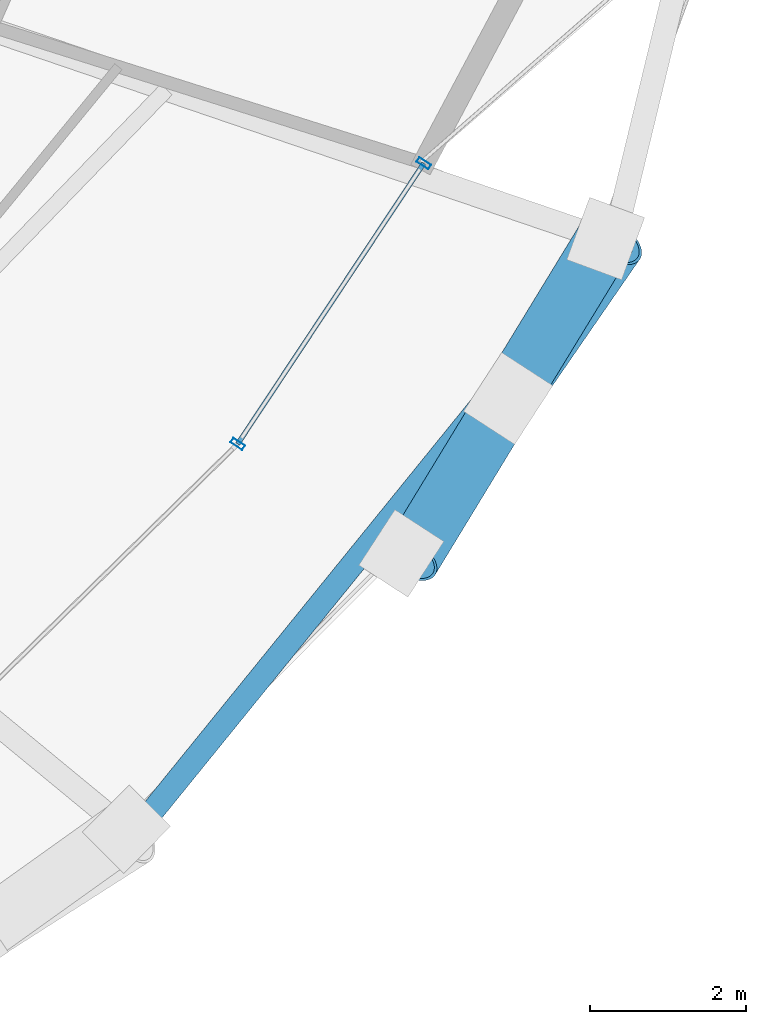
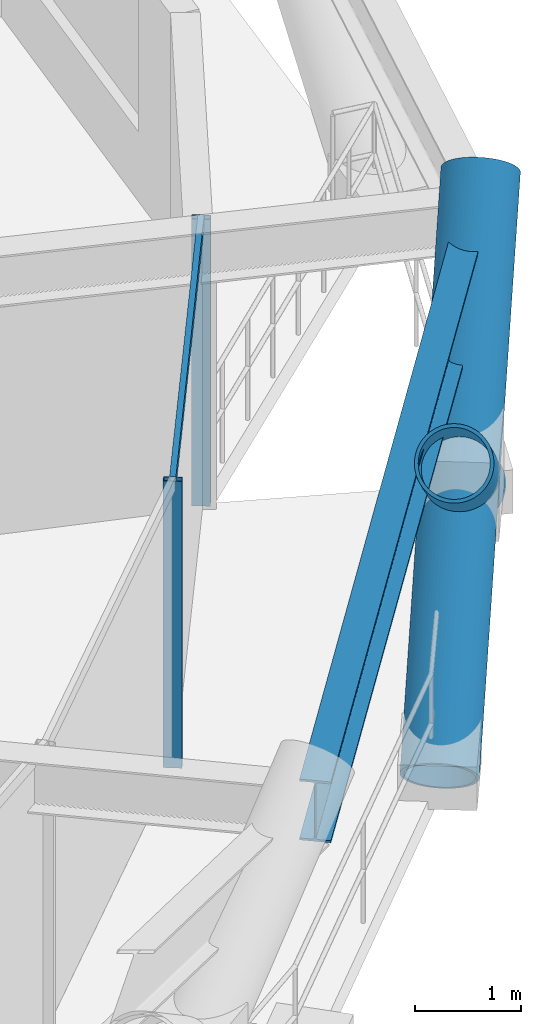
# One storey, part 11 of 20: 6 members, 1 beam, 1 element without a shape of its own.
"""IFC4 building model written with IfcOpenShell, lengths in metres."""

from ifc_helpers import new_model, si_unit, direction, frame, origin, origin_2d, place, context, subcontext, project, spatial, hollow_rectangle, hollow_circle, i_section, extrude, material, layer, layer_set, material_profile, profile_set, type_object, element, aggregate, save


model = new_model("IFC4")

# Units and contexts
model_context = context("Model", 3, precision=1e-05, world=origin(), true_north=direction((0.0, 1.0)))
body_context = subcontext(model_context, "Body", "Model", "MODEL_VIEW")
ifc_project = project(units=[si_unit("LENGTHUNIT", "METRE"), si_unit("AREAUNIT", "SQUARE_METRE"), si_unit("VOLUMEUNIT", "CUBIC_METRE"), si_unit("PLANEANGLEUNIT", "RADIAN"), si_unit("MASSUNIT", "GRAM", prefix="KILO")], contexts=[model_context])

# Site, building, storey
site_placement = place(None, origin())
site = spatial("IfcSite", under=ifc_project, at=site_placement, CompositionType="ELEMENT")
building_placement = place(site_placement, origin())
building = spatial("IfcBuilding", under=site, at=building_placement, Name="Veldorina Hangang Commons", CompositionType="ELEMENT")
storey_placement = place(building_placement, frame((0.0, 0.0, 48.39990234375)))
storey = spatial("IfcBuildingStorey", under=building, at=storey_placement, Name="L11", CompositionType="ELEMENT", Elevation=48.39990234375)

# Beam
ifc_material_1 = material(Name="Steel SM460-TMC", Category="steel")
ifc_material_profile_1 = material_profile(ifc_material_1, i_section(OverallWidth=0.300048828125, OverallDepth=0.699951171875, WebThickness=0.012939453125, FlangeThickness=0.02392578125, FilletRadius=0.02197265625, at=origin_2d()), Name="H-700x300x13x24")
ifc_profile_set_1 = profile_set([ifc_material_profile_1], Name="Steel SM460-TMC")
beam_type = type_object("IfcBeamType", Name="BM-RB700", PredefinedType="BEAM", material=ifc_profile_set_1)
beam_placement = place(storey_placement, frame((52.09033203125, 7.4453125, 2.989990234375), z_axis=(0.629842263473, 0.776723067215, 0.0), x_axis=(-0.776723067215, 0.629842263473, 0.0)))
element("IfcBeam", 1, at=beam_placement, inside=storey, type_object=beam_type, Name="L11 perimeter hoop ring beam 28", PredefinedType="BEAM", context=body_context, shape_type="SweptSolid", body=[
    extrude(i_section(OverallWidth=0.300048828125, OverallDepth=0.699951171875, WebThickness=0.012939453125, FlangeThickness=0.02392578125, FilletRadius=0.02197265625, at=origin_2d()), origin(), (0.0, 0.0, 1.0), 9.778564453125),
])

# Curtain wall, members
ifc_material_2 = material(Name="Glass Low-E Triple IGU", Category="glass")
ifc_layer = layer(ifc_material_2, 0.179931640625)
ifc_layer_set = layer_set([ifc_layer], Name="Glass Low-E Triple IGU")
curtain_wall_type = type_object("IfcCurtainWallType", Name="CW-SYS-Z1", PredefinedType="NOTDEFINED", material=ifc_layer_set)
curtain_wall_placement = place(storey_placement, origin())
curtain_wall = element("IfcCurtainWall", 2, at=curtain_wall_placement, inside=storey, type_object=curtain_wall_type, Name="L11 unitised curtain wall CW-L11-R2", PredefinedType="NOTDEFINED")
ifc_material_3 = material(Name="Aluminium Anodized AA6063-T6", Category="aluminium")
ifc_material_profile_2 = material_profile(ifc_material_3, hollow_rectangle(XDim=0.070068359375, YDim=0.179931640625, WallThickness=0.00390625, at=origin_2d()), Name="ALU-RHS-180x70x4")
ifc_profile_set_2 = profile_set([ifc_material_profile_2], Name="Aluminium Anodized AA6063-T6")
member_type_1 = type_object("IfcMemberType", Name="CW-MUL-180", PredefinedType="MULLION", material=ifc_profile_set_2)
member_1_placement = place(storey_placement, frame((53.43359375, 12.456298828125, 0.0), z_axis=(0.0, 0.0, 1.0), x_axis=(0.552679023274, 0.833394202784, 0.0)))
member_1 = element("IfcMember", 3, at=member_1_placement, type_object=member_type_1, Name="CW-L11-R2 vertical mullion 5", PredefinedType="MULLION", context=body_context, shape_type="SweptSolid", body=[
    extrude(hollow_rectangle(XDim=0.070068359375, YDim=0.179931640625, WallThickness=0.00390625, at=origin_2d()), origin(), (0.0, 0.0, 1.0), 3.300048828125),
])
member_2_placement = place(storey_placement, frame((55.81591796875, 16.048583984375, 0.0), z_axis=(0.0, 0.0, 1.0), x_axis=(-0.552679023274, -0.833394202784, 0.0)))
member_2 = element("IfcMember", 4, at=member_2_placement, type_object=member_type_1, Name="CW-L11-R2 vertical mullion 6", PredefinedType="MULLION", context=body_context, shape_type="SweptSolid", body=[
    extrude(hollow_rectangle(XDim=0.070068359375, YDim=0.179931640625, WallThickness=0.00390625, at=origin_2d()), origin(), (0.0, 0.0, 1.0), 3.300048828125),
])
ifc_material_profile_3 = material_profile(ifc_material_3, hollow_rectangle(XDim=0.06005859375, YDim=0.139892578125, WallThickness=0.00341796875, at=origin_2d()), Name="ALU-RHS-140x60x3.5")
ifc_profile_set_3 = profile_set([ifc_material_profile_3], Name="Aluminium Anodized AA6063-T6")
member_type_2 = type_object("IfcMemberType", Name="CW-TRN-140", PredefinedType="USERDEFINED", material=ifc_profile_set_3)
member_3_placement = place(storey_placement, frame((53.43359375, 12.456298828125, 3.260009765625), z_axis=(0.552685701619, 0.833389773891, 0.0), x_axis=(-0.833389773891, 0.552685701619, 0.0)))
member_3 = element("IfcMember", 5, at=member_3_placement, type_object=member_type_2, Name="CW-L11-R2 facet 5 transom 1", ObjectType="TRANSOM", PredefinedType="USERDEFINED", context=body_context, shape_type="SweptSolid", body=[
    extrude(hollow_rectangle(XDim=0.06005859375, YDim=0.139892578125, WallThickness=0.00341796875, at=origin_2d()), origin(), (0.0, 0.0, 1.0), 4.310546875),
])
aggregate(curtain_wall, [member_1, member_2, member_3])

# Members
ifc_material_profile_4 = material_profile(ifc_material_1, hollow_circle(Radius=0.375, WallThickness=0.035888671875, at=origin_2d()), Name="CHS-750x36")
ifc_profile_set_4 = profile_set([ifc_material_profile_4], Name="Steel SM460-TMC")
member_type_3 = type_object("IfcMemberType", Name="DG-CHS750", PredefinedType="BRACE", material=ifc_profile_set_4)
member_4_placement = place(storey_placement, frame((55.52880859375, 11.056396484375, 0.0), z_axis=(0.45520925237, 0.659974379516, 0.597677467318), x_axis=(-0.823181009759, 0.567779028472, 0.0)))
element("IfcMember", 6, at=member_4_placement, inside=storey, type_object=member_type_3, Name="L11 continuous perimeter diagrid brace 29", PredefinedType="BRACE", context=body_context, shape_type="SweptSolid", body=[
    extrude(hollow_circle(Radius=0.375, WallThickness=0.035888671875, at=origin_2d()), origin(), (0.0, 0.0, 1.0), 6.0234375),
])
member_5_placement = place(storey_placement, frame((58.143798828125, 15.084228515625, 0.0), z_axis=(-0.416760848607, -0.683239904221, 0.599577875133), x_axis=(0.853712216066, -0.520745093246, 0.0)))
element("IfcMember", 7, at=member_5_placement, inside=storey, type_object=member_type_3, Name="L11 split perimeter diagrid lower brace 30", PredefinedType="BRACE", context=body_context, shape_type="SweptSolid", body=[
    extrude(hollow_circle(Radius=0.375, WallThickness=0.035888671875, at=origin_2d()), origin(), (0.0, 0.0, 1.0), 2.994140625),
])
member_6_placement = place(storey_placement, frame((56.89599609375, 13.03857421875, 1.795166015625), z_axis=(-0.416133570395, -0.683717510828, 0.599469112613), x_axis=(0.85422203006, -0.519908379775, 0.0)))
element("IfcMember", 8, at=member_6_placement, inside=storey, type_object=member_type_3, Name="L11 split perimeter diagrid upper brace 30", PredefinedType="BRACE", context=body_context, shape_type="SweptSolid", body=[
    extrude(hollow_circle(Radius=0.375, WallThickness=0.035888671875, at=origin_2d()), origin(), (0.0, 0.0, 1.0), 3.010986328125),
])

save(model, "model.ifc")
